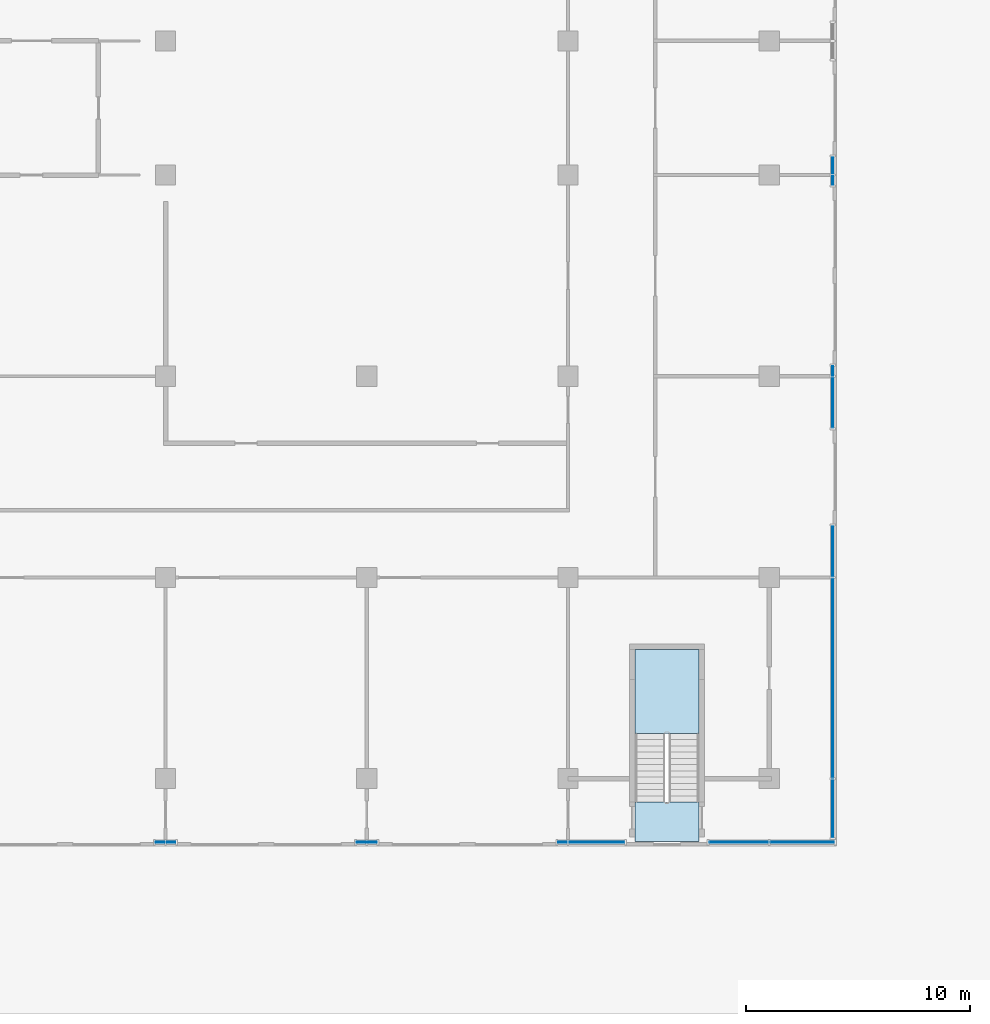
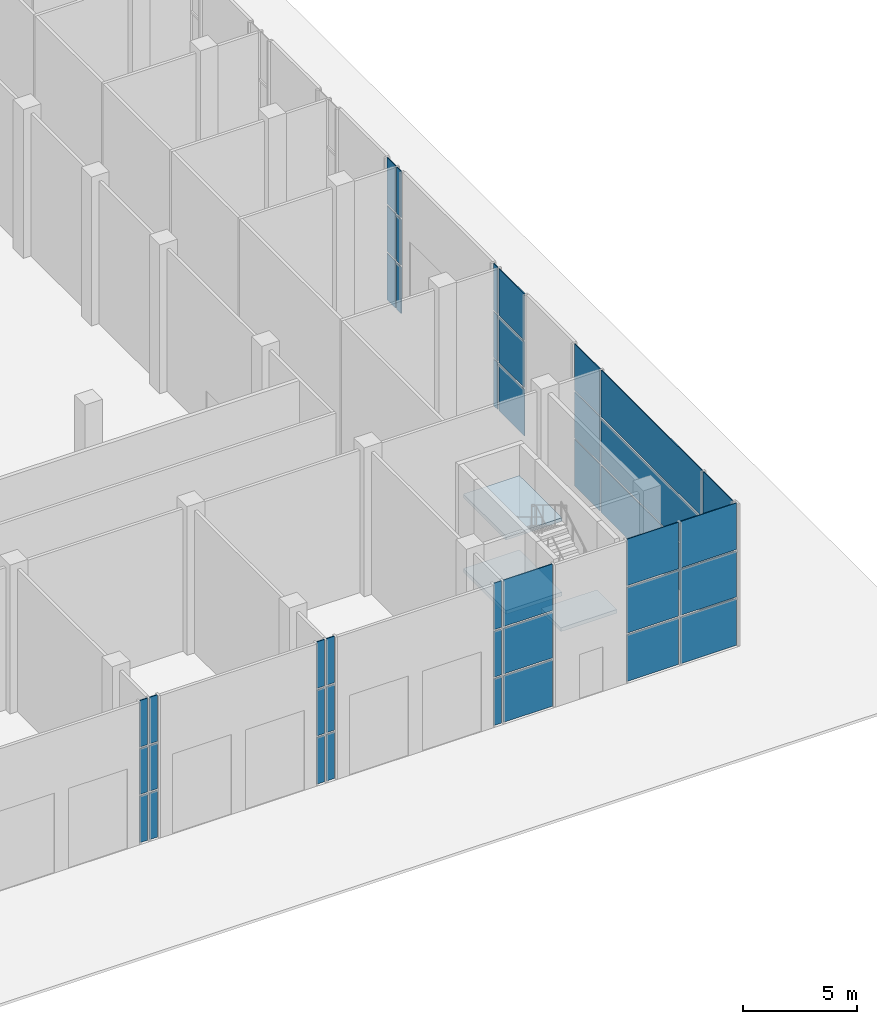
# One storey, part 13 of 29: 45 plates, 3 slabs, 8 elements without a shape of their own.
"""IFC4 building model written with IfcOpenShell, lengths in metres."""

from ifc_helpers import new_model, si_unit, direction, frame, origin, origin_2d, place, context, subcontext, project, spatial, polyline, rectangle, outline, extrude, material, layer, layer_set, type_object, element, aggregate, save


model = new_model("IFC4")

# Units and contexts
model_context = context("Model", 3, precision=1e-05, world=origin(), true_north=direction((0.0, 1.0)))
body_context = subcontext(model_context, "Body", "Model", "MODEL_VIEW")
ifc_project = project(units=[si_unit("LENGTHUNIT", "METRE"), si_unit("AREAUNIT", "SQUARE_METRE"), si_unit("VOLUMEUNIT", "CUBIC_METRE"), si_unit("PLANEANGLEUNIT", "RADIAN"), si_unit("MASSUNIT", "GRAM", prefix="KILO")], contexts=[model_context])

# Site, building, storey
site_placement = place(None, origin())
site = spatial("IfcSite", under=ifc_project, at=site_placement, CompositionType="ELEMENT")
building_placement = place(site_placement, origin())
building = spatial("IfcBuilding", under=site, at=building_placement, Name="Finial Court Residences", CompositionType="ELEMENT")
storey_placement = place(building_placement, origin())
storey = spatial("IfcBuildingStorey", under=building, at=storey_placement, Name="L00", CompositionType="ELEMENT", Elevation=0.0)

# Curtain wall, plates
ifc_material_1 = material(Name="Bronze anodised aluminium", Category="aluminium")
curtain_wall_type = type_object("IfcCurtainWallType", Name="Podium shopfront", PredefinedType="NOTDEFINED", material=ifc_material_1)
curtain_wall_1_placement = place(storey_placement, origin())
curtain_wall_1 = element("IfcCurtainWall", 1, at=curtain_wall_1_placement, inside=storey, type_object=curtain_wall_type, Name="E-L00-CW-E9", PredefinedType="NOTDEFINED")
ifc_material_2 = material(Name="Clear low-e glass", Category="glass")
ifc_layer_1 = layer(ifc_material_2, 0.0400390625)
ifc_layer_set_1 = layer_set([ifc_layer_1], Name="CW4 vision glass 40")
plate_type = type_object("IfcPlateType", Name="CW4 vision glass 40", PredefinedType="CURTAIN_PANEL", material=ifc_layer_set_1)
plate_1_placement = place(storey_placement, frame((61.35009765625, -32.83740234375, 0.0), z_axis=(0.0, 0.0, 1.0), x_axis=(0.0, 1.0, 0.0)))
plate_1 = element("IfcPlate", 2, at=plate_1_placement, type_object=plate_type, Name="CW4 glass 1.1", PredefinedType="CURTAIN_PANEL", context=body_context, shape_type="SweptSolid", body=[
    extrude(rectangle(XDim=2.574951171875, YDim=0.0400390625, at=origin_2d()), origin(), (0.0, 0.0, 1.0), 2.5),
])
plate_2_placement = place(storey_placement, frame((61.35009765625, -32.83740234375, 2.60009765625), z_axis=(0.0, 0.0, 1.0), x_axis=(0.0, 1.0, 0.0)))
plate_2 = element("IfcPlate", 3, at=plate_2_placement, type_object=plate_type, Name="CW4 glass 1.2", PredefinedType="CURTAIN_PANEL", context=body_context, shape_type="SweptSolid", body=[
    extrude(rectangle(XDim=2.574951171875, YDim=0.0400390625, at=origin_2d()), origin(), (0.0, 0.0, 1.0), 2.449951171875),
])
plate_3_placement = place(storey_placement, frame((61.35009765625, -32.83740234375, 5.14990234375), z_axis=(0.0, 0.0, 1.0), x_axis=(0.0, 1.0, 0.0)))
plate_3 = element("IfcPlate", 4, at=plate_3_placement, type_object=plate_type, Name="CW4 glass 1.3", PredefinedType="CURTAIN_PANEL", context=body_context, shape_type="SweptSolid", body=[
    extrude(rectangle(XDim=2.574951171875, YDim=0.0400390625, at=origin_2d()), origin(), (0.0, 0.0, 1.0), 2.5),
])
plate_4_placement = place(storey_placement, frame((61.35009765625, -27.0, 0.0), z_axis=(0.0, 0.0, 1.0), x_axis=(0.0, 1.0, 0.0)))
plate_4 = element("IfcPlate", 5, at=plate_4_placement, type_object=plate_type, Name="CW4 glass 2.1", PredefinedType="CURTAIN_PANEL", context=body_context, shape_type="SweptSolid", body=[
    extrude(rectangle(XDim=8.89990234375, YDim=0.0400390625, at=origin_2d()), origin(), (0.0, 0.0, 1.0), 2.5),
])
plate_5_placement = place(storey_placement, frame((61.35009765625, -27.0, 2.60009765625), z_axis=(0.0, 0.0, 1.0), x_axis=(0.0, 1.0, 0.0)))
plate_5 = element("IfcPlate", 6, at=plate_5_placement, type_object=plate_type, Name="CW4 glass 2.2", PredefinedType="CURTAIN_PANEL", context=body_context, shape_type="SweptSolid", body=[
    extrude(rectangle(XDim=8.89990234375, YDim=0.0400390625, at=origin_2d()), origin(), (0.0, 0.0, 1.0), 2.449951171875),
])
plate_6_placement = place(storey_placement, frame((61.35009765625, -27.0, 5.14990234375), z_axis=(0.0, 0.0, 1.0), x_axis=(0.0, 1.0, 0.0)))
plate_6 = element("IfcPlate", 7, at=plate_6_placement, type_object=plate_type, Name="CW4 glass 2.3", PredefinedType="CURTAIN_PANEL", context=body_context, shape_type="SweptSolid", body=[
    extrude(rectangle(XDim=8.89990234375, YDim=0.0400390625, at=origin_2d()), origin(), (0.0, 0.0, 1.0), 2.5),
])
plate_7_placement = place(storey_placement, frame((61.35009765625, -21.324951171875, 0.0), z_axis=(0.0, 0.0, 1.0), x_axis=(0.0, 1.0, 0.0)))
plate_7 = element("IfcPlate", 8, at=plate_7_placement, type_object=plate_type, Name="CW4 glass 3.1", PredefinedType="CURTAIN_PANEL", context=body_context, shape_type="SweptSolid", body=[
    extrude(rectangle(XDim=2.25, YDim=0.0400390625, at=origin_2d()), origin(), (0.0, 0.0, 1.0), 2.5),
])
plate_8_placement = place(storey_placement, frame((61.35009765625, -21.324951171875, 2.60009765625), z_axis=(0.0, 0.0, 1.0), x_axis=(0.0, 1.0, 0.0)))
plate_8 = element("IfcPlate", 9, at=plate_8_placement, type_object=plate_type, Name="CW4 glass 3.2", PredefinedType="CURTAIN_PANEL", context=body_context, shape_type="SweptSolid", body=[
    extrude(rectangle(XDim=2.25, YDim=0.0400390625, at=origin_2d()), origin(), (0.0, 0.0, 1.0), 2.449951171875),
])
plate_9_placement = place(storey_placement, frame((61.35009765625, -21.324951171875, 5.14990234375), z_axis=(0.0, 0.0, 1.0), x_axis=(0.0, 1.0, 0.0)))
plate_9 = element("IfcPlate", 10, at=plate_9_placement, type_object=plate_type, Name="CW4 glass 3.3", PredefinedType="CURTAIN_PANEL", context=body_context, shape_type="SweptSolid", body=[
    extrude(rectangle(XDim=2.25, YDim=0.0400390625, at=origin_2d()), origin(), (0.0, 0.0, 1.0), 2.5),
])
aggregate(curtain_wall_1, [plate_1, plate_2, plate_3, plate_4, plate_5, plate_6, plate_7, plate_8, plate_9])

curtain_wall_2_placement = place(storey_placement, origin())
curtain_wall_2 = element("IfcCurtainWall", 11, at=curtain_wall_2_placement, inside=storey, type_object=curtain_wall_type, Name="E-L00-CW-E10", PredefinedType="NOTDEFINED")
plate_10_placement = place(storey_placement, frame((61.35009765625, -14.675048828125, 0.0), z_axis=(0.0, 0.0, 1.0), x_axis=(0.0, 1.0, 0.0)))
plate_10 = element("IfcPlate", 12, at=plate_10_placement, type_object=plate_type, Name="CW4 glass 1.1", PredefinedType="CURTAIN_PANEL", context=body_context, shape_type="SweptSolid", body=[
    extrude(rectangle(XDim=2.25, YDim=0.0400390625, at=origin_2d()), origin(), (0.0, 0.0, 1.0), 2.5),
])
plate_11_placement = place(storey_placement, frame((61.35009765625, -14.675048828125, 2.60009765625), z_axis=(0.0, 0.0, 1.0), x_axis=(0.0, 1.0, 0.0)))
plate_11 = element("IfcPlate", 13, at=plate_11_placement, type_object=plate_type, Name="CW4 glass 1.2", PredefinedType="CURTAIN_PANEL", context=body_context, shape_type="SweptSolid", body=[
    extrude(rectangle(XDim=2.25, YDim=0.0400390625, at=origin_2d()), origin(), (0.0, 0.0, 1.0), 2.449951171875),
])
plate_12_placement = place(storey_placement, frame((61.35009765625, -14.675048828125, 5.14990234375), z_axis=(0.0, 0.0, 1.0), x_axis=(0.0, 1.0, 0.0)))
plate_12 = element("IfcPlate", 14, at=plate_12_placement, type_object=plate_type, Name="CW4 glass 1.3", PredefinedType="CURTAIN_PANEL", context=body_context, shape_type="SweptSolid", body=[
    extrude(rectangle(XDim=2.25, YDim=0.0400390625, at=origin_2d()), origin(), (0.0, 0.0, 1.0), 2.5),
])
plate_13_placement = place(storey_placement, frame((61.35009765625, -13.254150390625, 0.0), z_axis=(0.0, 0.0, 1.0), x_axis=(0.0, 1.0, 0.0)))
plate_13 = element("IfcPlate", 15, at=plate_13_placement, type_object=plate_type, Name="CW4 glass 2.1", PredefinedType="CURTAIN_PANEL", context=body_context, shape_type="SweptSolid", body=[
    extrude(rectangle(XDim=0.3916015625, YDim=0.0400390625, at=origin_2d()), origin(), (0.0, 0.0, 1.0), 2.5),
])
plate_14_placement = place(storey_placement, frame((61.35009765625, -13.254150390625, 2.60009765625), z_axis=(0.0, 0.0, 1.0), x_axis=(0.0, 1.0, 0.0)))
plate_14 = element("IfcPlate", 16, at=plate_14_placement, type_object=plate_type, Name="CW4 glass 2.2", PredefinedType="CURTAIN_PANEL", context=body_context, shape_type="SweptSolid", body=[
    extrude(rectangle(XDim=0.3916015625, YDim=0.0400390625, at=origin_2d()), origin(), (0.0, 0.0, 1.0), 2.449951171875),
])
plate_15_placement = place(storey_placement, frame((61.35009765625, -13.254150390625, 5.14990234375), z_axis=(0.0, 0.0, 1.0), x_axis=(0.0, 1.0, 0.0)))
plate_15 = element("IfcPlate", 17, at=plate_15_placement, type_object=plate_type, Name="CW4 glass 2.3", PredefinedType="CURTAIN_PANEL", context=body_context, shape_type="SweptSolid", body=[
    extrude(rectangle(XDim=0.3916015625, YDim=0.0400390625, at=origin_2d()), origin(), (0.0, 0.0, 1.0), 2.5),
])
aggregate(curtain_wall_2, [plate_10, plate_11, plate_12, plate_13, plate_14, plate_15])

curtain_wall_3_placement = place(storey_placement, origin())
curtain_wall_3 = element("IfcCurtainWall", 18, at=curtain_wall_3_placement, inside=storey, type_object=curtain_wall_type, Name="E-L00-CW-E11", PredefinedType="NOTDEFINED")
plate_16_placement = place(storey_placement, frame((61.35009765625, -4.745849609375, 0.0), z_axis=(0.0, 0.0, 1.0), x_axis=(0.0, 1.0, 0.0)))
plate_16 = element("IfcPlate", 19, at=plate_16_placement, type_object=plate_type, Name="CW4 glass 1.1", PredefinedType="CURTAIN_PANEL", context=body_context, shape_type="SweptSolid", body=[
    extrude(rectangle(XDim=0.3916015625, YDim=0.0400390625, at=origin_2d()), origin(), (0.0, 0.0, 1.0), 2.5),
])
plate_17_placement = place(storey_placement, frame((61.35009765625, -4.745849609375, 2.60009765625), z_axis=(0.0, 0.0, 1.0), x_axis=(0.0, 1.0, 0.0)))
plate_17 = element("IfcPlate", 20, at=plate_17_placement, type_object=plate_type, Name="CW4 glass 1.2", PredefinedType="CURTAIN_PANEL", context=body_context, shape_type="SweptSolid", body=[
    extrude(rectangle(XDim=0.3916015625, YDim=0.0400390625, at=origin_2d()), origin(), (0.0, 0.0, 1.0), 2.449951171875),
])
plate_18_placement = place(storey_placement, frame((61.35009765625, -4.745849609375, 5.14990234375), z_axis=(0.0, 0.0, 1.0), x_axis=(0.0, 1.0, 0.0)))
plate_18 = element("IfcPlate", 21, at=plate_18_placement, type_object=plate_type, Name="CW4 glass 1.3", PredefinedType="CURTAIN_PANEL", context=body_context, shape_type="SweptSolid", body=[
    extrude(rectangle(XDim=0.3916015625, YDim=0.0400390625, at=origin_2d()), origin(), (0.0, 0.0, 1.0), 2.5),
])
plate_19_placement = place(storey_placement, frame((61.35009765625, -4.074951171875, 0.0), z_axis=(0.0, 0.0, 1.0), x_axis=(0.0, 1.0, 0.0)))
plate_19 = element("IfcPlate", 22, at=plate_19_placement, type_object=plate_type, Name="CW4 glass 2.1", PredefinedType="CURTAIN_PANEL", context=body_context, shape_type="SweptSolid", body=[
    extrude(rectangle(XDim=0.75, YDim=0.0400390625, at=origin_2d()), origin(), (0.0, 0.0, 1.0), 2.5),
])
plate_20_placement = place(storey_placement, frame((61.35009765625, -4.074951171875, 2.60009765625), z_axis=(0.0, 0.0, 1.0), x_axis=(0.0, 1.0, 0.0)))
plate_20 = element("IfcPlate", 23, at=plate_20_placement, type_object=plate_type, Name="CW4 glass 2.2", PredefinedType="CURTAIN_PANEL", context=body_context, shape_type="SweptSolid", body=[
    extrude(rectangle(XDim=0.75, YDim=0.0400390625, at=origin_2d()), origin(), (0.0, 0.0, 1.0), 2.449951171875),
])
plate_21_placement = place(storey_placement, frame((61.35009765625, -4.074951171875, 5.14990234375), z_axis=(0.0, 0.0, 1.0), x_axis=(0.0, 1.0, 0.0)))
plate_21 = element("IfcPlate", 24, at=plate_21_placement, type_object=plate_type, Name="CW4 glass 2.3", PredefinedType="CURTAIN_PANEL", context=body_context, shape_type="SweptSolid", body=[
    extrude(rectangle(XDim=0.75, YDim=0.0400390625, at=origin_2d()), origin(), (0.0, 0.0, 1.0), 2.5),
])
aggregate(curtain_wall_3, [plate_16, plate_17, plate_18, plate_19, plate_20, plate_21])

curtain_wall_4_placement = place(storey_placement, origin())
curtain_wall_4 = element("IfcCurtainWall", 25, at=curtain_wall_4_placement, inside=storey, type_object=curtain_wall_type, Name="E-L00-CW-S23", PredefinedType="NOTDEFINED")
plate_22_placement = place(storey_placement, frame((31.254150390625, -34.35009765625, 0.0), z_axis=(0.0, 0.0, 1.0), x_axis=(1.0, 0.0, 0.0)))
plate_22 = element("IfcPlate", 26, at=plate_22_placement, type_object=plate_type, Name="CW4 glass 1.1", PredefinedType="CURTAIN_PANEL", context=body_context, shape_type="SweptSolid", body=[
    extrude(rectangle(XDim=0.3916015625, YDim=0.0400390625, at=origin_2d()), origin(), (0.0, 0.0, 1.0), 2.5),
])
plate_23_placement = place(storey_placement, frame((31.254150390625, -34.35009765625, 2.60009765625), z_axis=(0.0, 0.0, 1.0), x_axis=(1.0, 0.0, 0.0)))
plate_23 = element("IfcPlate", 27, at=plate_23_placement, type_object=plate_type, Name="CW4 glass 1.2", PredefinedType="CURTAIN_PANEL", context=body_context, shape_type="SweptSolid", body=[
    extrude(rectangle(XDim=0.3916015625, YDim=0.0400390625, at=origin_2d()), origin(), (0.0, 0.0, 1.0), 2.449951171875),
])
plate_24_placement = place(storey_placement, frame((31.254150390625, -34.35009765625, 5.14990234375), z_axis=(0.0, 0.0, 1.0), x_axis=(1.0, 0.0, 0.0)))
plate_24 = element("IfcPlate", 28, at=plate_24_placement, type_object=plate_type, Name="CW4 glass 1.3", PredefinedType="CURTAIN_PANEL", context=body_context, shape_type="SweptSolid", body=[
    extrude(rectangle(XDim=0.3916015625, YDim=0.0400390625, at=origin_2d()), origin(), (0.0, 0.0, 1.0), 2.5),
])
plate_25_placement = place(storey_placement, frame((31.745849609375, -34.35009765625, 0.0), z_axis=(0.0, 0.0, 1.0), x_axis=(1.0, 0.0, 0.0)))
plate_25 = element("IfcPlate", 29, at=plate_25_placement, type_object=plate_type, Name="CW4 glass 2.1", PredefinedType="CURTAIN_PANEL", context=body_context, shape_type="SweptSolid", body=[
    extrude(rectangle(XDim=0.3916015625, YDim=0.0400390625, at=origin_2d()), origin(), (0.0, 0.0, 1.0), 2.5),
])
plate_26_placement = place(storey_placement, frame((31.745849609375, -34.35009765625, 2.60009765625), z_axis=(0.0, 0.0, 1.0), x_axis=(1.0, 0.0, 0.0)))
plate_26 = element("IfcPlate", 30, at=plate_26_placement, type_object=plate_type, Name="CW4 glass 2.2", PredefinedType="CURTAIN_PANEL", context=body_context, shape_type="SweptSolid", body=[
    extrude(rectangle(XDim=0.3916015625, YDim=0.0400390625, at=origin_2d()), origin(), (0.0, 0.0, 1.0), 2.449951171875),
])
plate_27_placement = place(storey_placement, frame((31.745849609375, -34.35009765625, 5.14990234375), z_axis=(0.0, 0.0, 1.0), x_axis=(1.0, 0.0, 0.0)))
plate_27 = element("IfcPlate", 31, at=plate_27_placement, type_object=plate_type, Name="CW4 glass 2.3", PredefinedType="CURTAIN_PANEL", context=body_context, shape_type="SweptSolid", body=[
    extrude(rectangle(XDim=0.3916015625, YDim=0.0400390625, at=origin_2d()), origin(), (0.0, 0.0, 1.0), 2.5),
])
aggregate(curtain_wall_4, [plate_22, plate_23, plate_24, plate_25, plate_26, plate_27])

curtain_wall_5_placement = place(storey_placement, origin())
curtain_wall_5 = element("IfcCurtainWall", 32, at=curtain_wall_5_placement, inside=storey, type_object=curtain_wall_type, Name="E-L00-CW-S24", PredefinedType="NOTDEFINED")
plate_28_placement = place(storey_placement, frame((40.254150390625, -34.35009765625, 0.0), z_axis=(0.0, 0.0, 1.0), x_axis=(1.0, 0.0, 0.0)))
plate_28 = element("IfcPlate", 33, at=plate_28_placement, type_object=plate_type, Name="CW4 glass 1.1", PredefinedType="CURTAIN_PANEL", context=body_context, shape_type="SweptSolid", body=[
    extrude(rectangle(XDim=0.3916015625, YDim=0.0400390625, at=origin_2d()), origin(), (0.0, 0.0, 1.0), 2.5),
])
plate_29_placement = place(storey_placement, frame((40.254150390625, -34.35009765625, 2.60009765625), z_axis=(0.0, 0.0, 1.0), x_axis=(1.0, 0.0, 0.0)))
plate_29 = element("IfcPlate", 34, at=plate_29_placement, type_object=plate_type, Name="CW4 glass 1.2", PredefinedType="CURTAIN_PANEL", context=body_context, shape_type="SweptSolid", body=[
    extrude(rectangle(XDim=0.3916015625, YDim=0.0400390625, at=origin_2d()), origin(), (0.0, 0.0, 1.0), 2.449951171875),
])
plate_30_placement = place(storey_placement, frame((40.254150390625, -34.35009765625, 5.14990234375), z_axis=(0.0, 0.0, 1.0), x_axis=(1.0, 0.0, 0.0)))
plate_30 = element("IfcPlate", 35, at=plate_30_placement, type_object=plate_type, Name="CW4 glass 1.3", PredefinedType="CURTAIN_PANEL", context=body_context, shape_type="SweptSolid", body=[
    extrude(rectangle(XDim=0.3916015625, YDim=0.0400390625, at=origin_2d()), origin(), (0.0, 0.0, 1.0), 2.5),
])
plate_31_placement = place(storey_placement, frame((40.745849609375, -34.35009765625, 0.0), z_axis=(0.0, 0.0, 1.0), x_axis=(1.0, 0.0, 0.0)))
plate_31 = element("IfcPlate", 36, at=plate_31_placement, type_object=plate_type, Name="CW4 glass 2.1", PredefinedType="CURTAIN_PANEL", context=body_context, shape_type="SweptSolid", body=[
    extrude(rectangle(XDim=0.3916015625, YDim=0.0400390625, at=origin_2d()), origin(), (0.0, 0.0, 1.0), 2.5),
])
plate_32_placement = place(storey_placement, frame((40.745849609375, -34.35009765625, 2.60009765625), z_axis=(0.0, 0.0, 1.0), x_axis=(1.0, 0.0, 0.0)))
plate_32 = element("IfcPlate", 37, at=plate_32_placement, type_object=plate_type, Name="CW4 glass 2.2", PredefinedType="CURTAIN_PANEL", context=body_context, shape_type="SweptSolid", body=[
    extrude(rectangle(XDim=0.3916015625, YDim=0.0400390625, at=origin_2d()), origin(), (0.0, 0.0, 1.0), 2.449951171875),
])
plate_33_placement = place(storey_placement, frame((40.745849609375, -34.35009765625, 5.14990234375), z_axis=(0.0, 0.0, 1.0), x_axis=(1.0, 0.0, 0.0)))
plate_33 = element("IfcPlate", 38, at=plate_33_placement, type_object=plate_type, Name="CW4 glass 2.3", PredefinedType="CURTAIN_PANEL", context=body_context, shape_type="SweptSolid", body=[
    extrude(rectangle(XDim=0.3916015625, YDim=0.0400390625, at=origin_2d()), origin(), (0.0, 0.0, 1.0), 2.5),
])
aggregate(curtain_wall_5, [plate_28, plate_29, plate_30, plate_31, plate_32, plate_33])

curtain_wall_6_placement = place(storey_placement, origin())
curtain_wall_6 = element("IfcCurtainWall", 39, at=curtain_wall_6_placement, inside=storey, type_object=curtain_wall_type, Name="E-L00-CW-S25", PredefinedType="NOTDEFINED")
plate_34_placement = place(storey_placement, frame((49.254150390625, -34.35009765625, 0.0), z_axis=(0.0, 0.0, 1.0), x_axis=(1.0, 0.0, 0.0)))
plate_34 = element("IfcPlate", 40, at=plate_34_placement, type_object=plate_type, Name="CW4 glass 1.1", PredefinedType="CURTAIN_PANEL", context=body_context, shape_type="SweptSolid", body=[
    extrude(rectangle(XDim=0.3916015625, YDim=0.0400390625, at=origin_2d()), origin(), (0.0, 0.0, 1.0), 2.5),
])
plate_35_placement = place(storey_placement, frame((49.254150390625, -34.35009765625, 2.60009765625), z_axis=(0.0, 0.0, 1.0), x_axis=(1.0, 0.0, 0.0)))
plate_35 = element("IfcPlate", 41, at=plate_35_placement, type_object=plate_type, Name="CW4 glass 1.2", PredefinedType="CURTAIN_PANEL", context=body_context, shape_type="SweptSolid", body=[
    extrude(rectangle(XDim=0.3916015625, YDim=0.0400390625, at=origin_2d()), origin(), (0.0, 0.0, 1.0), 2.449951171875),
])
plate_36_placement = place(storey_placement, frame((49.254150390625, -34.35009765625, 5.14990234375), z_axis=(0.0, 0.0, 1.0), x_axis=(1.0, 0.0, 0.0)))
plate_36 = element("IfcPlate", 42, at=plate_36_placement, type_object=plate_type, Name="CW4 glass 1.3", PredefinedType="CURTAIN_PANEL", context=body_context, shape_type="SweptSolid", body=[
    extrude(rectangle(XDim=0.3916015625, YDim=0.0400390625, at=origin_2d()), origin(), (0.0, 0.0, 1.0), 2.5),
])
plate_37_placement = place(storey_placement, frame((50.78759765625, -34.35009765625, 0.0), z_axis=(0.0, 0.0, 1.0), x_axis=(1.0, 0.0, 0.0)))
plate_37 = element("IfcPlate", 43, at=plate_37_placement, type_object=plate_type, Name="CW4 glass 2.1", PredefinedType="CURTAIN_PANEL", context=body_context, shape_type="SweptSolid", body=[
    extrude(rectangle(XDim=2.47509765625, YDim=0.0400390625, at=origin_2d()), origin(), (0.0, 0.0, 1.0), 2.5),
])
plate_38_placement = place(storey_placement, frame((50.78759765625, -34.35009765625, 2.60009765625), z_axis=(0.0, 0.0, 1.0), x_axis=(1.0, 0.0, 0.0)))
plate_38 = element("IfcPlate", 44, at=plate_38_placement, type_object=plate_type, Name="CW4 glass 2.2", PredefinedType="CURTAIN_PANEL", context=body_context, shape_type="SweptSolid", body=[
    extrude(rectangle(XDim=2.47509765625, YDim=0.0400390625, at=origin_2d()), origin(), (0.0, 0.0, 1.0), 2.449951171875),
])
plate_39_placement = place(storey_placement, frame((50.78759765625, -34.35009765625, 5.14990234375), z_axis=(0.0, 0.0, 1.0), x_axis=(1.0, 0.0, 0.0)))
plate_39 = element("IfcPlate", 45, at=plate_39_placement, type_object=plate_type, Name="CW4 glass 2.3", PredefinedType="CURTAIN_PANEL", context=body_context, shape_type="SweptSolid", body=[
    extrude(rectangle(XDim=2.47509765625, YDim=0.0400390625, at=origin_2d()), origin(), (0.0, 0.0, 1.0), 2.5),
])
aggregate(curtain_wall_6, [plate_34, plate_35, plate_36, plate_37, plate_38, plate_39])

curtain_wall_7_placement = place(storey_placement, origin())
curtain_wall_7 = element("IfcCurtainWall", 46, at=curtain_wall_7_placement, inside=storey, type_object=curtain_wall_type, Name="E-L00-CW-S26", PredefinedType="NOTDEFINED")
plate_40_placement = place(storey_placement, frame((57.137451171875, -34.35009765625, 0.0), z_axis=(0.0, 0.0, 1.0), x_axis=(1.0, 0.0, 0.0)))
plate_40 = element("IfcPlate", 47, at=plate_40_placement, type_object=plate_type, Name="CW4 glass 1.1", PredefinedType="CURTAIN_PANEL", context=body_context, shape_type="SweptSolid", body=[
    extrude(rectangle(XDim=2.625, YDim=0.0400390625, at=origin_2d()), origin(), (0.0, 0.0, 1.0), 2.5),
])
plate_41_placement = place(storey_placement, frame((57.137451171875, -34.35009765625, 2.60009765625), z_axis=(0.0, 0.0, 1.0), x_axis=(1.0, 0.0, 0.0)))
plate_41 = element("IfcPlate", 48, at=plate_41_placement, type_object=plate_type, Name="CW4 glass 1.2", PredefinedType="CURTAIN_PANEL", context=body_context, shape_type="SweptSolid", body=[
    extrude(rectangle(XDim=2.625, YDim=0.0400390625, at=origin_2d()), origin(), (0.0, 0.0, 1.0), 2.449951171875),
])
plate_42_placement = place(storey_placement, frame((57.137451171875, -34.35009765625, 5.14990234375), z_axis=(0.0, 0.0, 1.0), x_axis=(1.0, 0.0, 0.0)))
plate_42 = element("IfcPlate", 49, at=plate_42_placement, type_object=plate_type, Name="CW4 glass 1.3", PredefinedType="CURTAIN_PANEL", context=body_context, shape_type="SweptSolid", body=[
    extrude(rectangle(XDim=2.625, YDim=0.0400390625, at=origin_2d()), origin(), (0.0, 0.0, 1.0), 2.5),
])
plate_43_placement = place(storey_placement, frame((59.97509765625, -34.35009765625, 0.0), z_axis=(0.0, 0.0, 1.0), x_axis=(1.0, 0.0, 0.0)))
plate_43 = element("IfcPlate", 50, at=plate_43_placement, type_object=plate_type, Name="CW4 glass 2.1", PredefinedType="CURTAIN_PANEL", context=body_context, shape_type="SweptSolid", body=[
    extrude(rectangle(XDim=2.85009765625, YDim=0.0400390625, at=origin_2d()), origin(), (0.0, 0.0, 1.0), 2.5),
])
plate_44_placement = place(storey_placement, frame((59.97509765625, -34.35009765625, 2.60009765625), z_axis=(0.0, 0.0, 1.0), x_axis=(1.0, 0.0, 0.0)))
plate_44 = element("IfcPlate", 51, at=plate_44_placement, type_object=plate_type, Name="CW4 glass 2.2", PredefinedType="CURTAIN_PANEL", context=body_context, shape_type="SweptSolid", body=[
    extrude(rectangle(XDim=2.85009765625, YDim=0.0400390625, at=origin_2d()), origin(), (0.0, 0.0, 1.0), 2.449951171875),
])
plate_45_placement = place(storey_placement, frame((59.97509765625, -34.35009765625, 5.14990234375), z_axis=(0.0, 0.0, 1.0), x_axis=(1.0, 0.0, 0.0)))
plate_45 = element("IfcPlate", 52, at=plate_45_placement, type_object=plate_type, Name="CW4 glass 2.3", PredefinedType="CURTAIN_PANEL", context=body_context, shape_type="SweptSolid", body=[
    extrude(rectangle(XDim=2.85009765625, YDim=0.0400390625, at=origin_2d()), origin(), (0.0, 0.0, 1.0), 2.5),
])
aggregate(curtain_wall_7, [plate_40, plate_41, plate_42, plate_43, plate_44, plate_45])

# Stair, slabs
ifc_material_3 = material(Name="Concrete C50/60", Category="concrete")
stair_type = type_object("IfcStairType", Name="Exit stair 48 risers of 166.7 mm", PredefinedType="HALF_TURN_STAIR", material=ifc_material_3)
stair_placement = place(storey_placement, origin())
stair = element("IfcStair", 53, at=stair_placement, inside=storey, type_object=stair_type, Name="L00 Exit Stair 3", PredefinedType="HALF_TURN_STAIR")
ifc_layer_2 = layer(ifc_material_3, 0.199951171875)
ifc_layer_set_2 = layer_set([ifc_layer_2], Name="Exit stair landing")
slab_type = type_object("IfcSlabType", Name="Exit stair landing", PredefinedType="LANDING", material=ifc_layer_set_2)
slab_1_placement = place(storey_placement, frame((0.0, 0.0, 1.800048828125)))
slab_1 = element("IfcSlab", 54, at=slab_1_placement, type_object=slab_type, Name="ST-3 landing 1", PredefinedType="LANDING", context=body_context, shape_type="SweptSolid", body=[
    extrude(outline(polyline([(55.35009765625, -29.469970703125), (55.35009765625, -25.719970703125), (52.5, -25.719970703125), (52.5, -29.469970703125), (55.35009765625, -29.469970703125)])), origin(), (0.0, 0.0, 1.0), 0.199951171875),
])
slab_2_placement = place(storey_placement, frame((0.0, 0.0, 3.800048828125)))
slab_2 = element("IfcSlab", 55, at=slab_2_placement, type_object=slab_type, Name="ST-3 landing 2", PredefinedType="LANDING", context=body_context, shape_type="SweptSolid", body=[
    extrude(outline(polyline([(55.35009765625, -34.300048828125), (55.35009765625, -32.550048828125), (52.5, -32.550048828125), (52.5, -34.300048828125), (55.35009765625, -34.300048828125)])), origin(), (0.0, 0.0, 1.0), 0.199951171875),
])
slab_3_placement = place(storey_placement, frame((0.0, 0.0, 5.800048828125)))
slab_3 = element("IfcSlab", 56, at=slab_3_placement, type_object=slab_type, Name="ST-3 landing 3", PredefinedType="LANDING", context=body_context, shape_type="SweptSolid", body=[
    extrude(outline(polyline([(55.35009765625, -29.469970703125), (55.35009765625, -25.719970703125), (52.5, -25.719970703125), (52.5, -29.469970703125), (55.35009765625, -29.469970703125)])), origin(), (0.0, 0.0, 1.0), 0.199951171875),
])
aggregate(stair, [slab_1, slab_2, slab_3])

save(model, "model.ifc")
